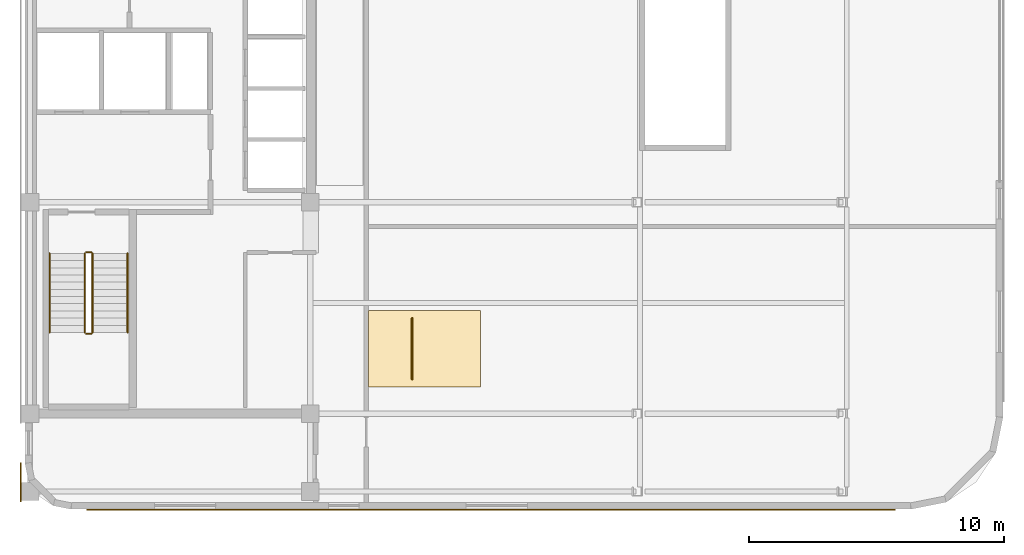
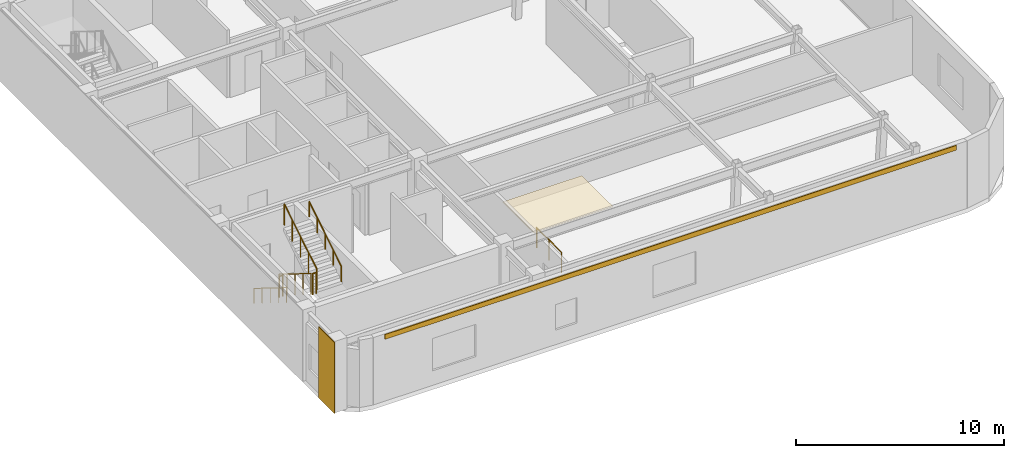
# One storey, part 6 of 8: 7 railings, 3 coverings.
"""IFC4 building model written with IfcOpenShell, lengths in metres."""

from ifc_helpers import new_model, si_unit, direction, frame, origin, origin_2d, place, context, subcontext, project, spatial, polyline, rectangle, circle, outline, extrude, material, layer, layer_set, type_object, element, save


model = new_model("IFC4")

# Units and contexts
model_context = context("Model", 3, precision=1e-05, world=origin(), true_north=direction((0.0, 1.0)))
body_context = subcontext(model_context, "Body", "Model", "MODEL_VIEW")
ifc_project = project(units=[si_unit("LENGTHUNIT", "METRE"), si_unit("AREAUNIT", "SQUARE_METRE"), si_unit("VOLUMEUNIT", "CUBIC_METRE"), si_unit("PLANEANGLEUNIT", "RADIAN"), si_unit("MASSUNIT", "GRAM", prefix="KILO")], contexts=[model_context])

# Site, building, storey
site_placement = place(None, origin())
site = spatial("IfcSite", under=ifc_project, at=site_placement, CompositionType="ELEMENT")
building_placement = place(site_placement, origin())
building = spatial("IfcBuilding", under=site, at=building_placement, Name="Ochreholt Gables", CompositionType="ELEMENT")
storey_placement = place(building_placement, frame((0.0, 0.0, 231.0)))
storey = spatial("IfcBuildingStorey", under=building, at=storey_placement, Name="L60", CompositionType="ELEMENT", Elevation=231.0)

# Coverings
ifc_material_1 = material(Name="Mineral Fibre Acoustic Ceiling Tile", Category="gypsum")
ifc_layer_1 = layer(ifc_material_1, 0.034912109375, Name="Mineral Fibre Acoustic Ceiling Tile")
ifc_layer_set_1 = layer_set([ifc_layer_1], Name="Mineral Fibre Acoustic Ceiling Tile")
covering_type_1 = type_object("IfcCoveringType", Name="COV-CEIL-AC", PredefinedType="CEILING", material=ifc_layer_set_1)
covering_1_placement = place(storey_placement, frame((0.0, 0.0, 3.080078125)))
element("IfcCovering", 1, at=covering_1_placement, inside=storey, type_object=covering_type_1, Name="L60 Suspended Acoustic Ceiling", PredefinedType="CEILING", context=body_context, shape_type="SweptSolid", body=[
    extrude(outline(polyline([(37.489990234375, 10.300048828125), (41.889892578125, 10.300048828125), (41.889892578125, 13.300048828125), (37.489990234375, 13.300048828125), (37.489990234375, 10.300048828125)])), origin(), (0.0, 0.0, 1.0), 0.034912109375),
])
ifc_material_2 = material(Name="Glazed Ochre Terracotta Rainscreen Cladding", Category="masonry")
ifc_layer_2 = layer(ifc_material_2, 0.044921875, Name="Glazed Ochre Terracotta Rainscreen Cladding")
ifc_layer_set_2 = layer_set([ifc_layer_2], Name="Glazed Ochre Terracotta Rainscreen Cladding")
covering_type_2 = type_object("IfcCoveringType", Name="COV-CLAD-TC", PredefinedType="CLADDING", material=ifc_layer_set_2)
covering_2_placement = place(storey_placement, frame((42.300048828125, 5.47998046875, 3.66015625), z_axis=(0.0, 0.0, 1.0), x_axis=(1.0, 0.0, 0.0)))
element("IfcCovering", 2, at=covering_2_placement, inside=storey, type_object=covering_type_2, Name="L60 Terracotta Spandrel Cladding South", PredefinedType="CLADDING", context=body_context, shape_type="SweptSolid", body=[
    extrude(rectangle(XDim=31.760009765625, YDim=0.044921875, at=origin_2d()), origin(), (0.0, 0.0, 1.0), 0.280029296875),
])
covering_3_placement = place(storey_placement, frame((23.827880859375, 6.56005859375, 0.01025390625), z_axis=(0.0, 0.0, 1.0), x_axis=(0.0, 1.0, 0.0)))
element("IfcCovering", 3, at=covering_3_placement, inside=storey, type_object=covering_type_2, Name="L60 South-West Pier Terracotta Cladding", PredefinedType="CLADDING", context=body_context, shape_type="SweptSolid", body=[
    extrude(rectangle(XDim=1.52001953125, YDim=0.044921875, at=origin_2d()), origin(), (0.0, 0.0, 1.0), 4.179931640625),
])

# Railings
ifc_material_3 = material(Name="Laminated Glass and Bronze Interior Balustrade", Category="glass")
railing_type_1 = type_object("IfcRailingType", Name="RL-INT-BAL", PredefinedType="BALUSTRADE", material=ifc_material_3)
railing_1_placement = place(storey_placement, frame((39.199951171875, 10.60009765625, 0.0)))
element("IfcRailing", 4, at=railing_1_placement, inside=storey, type_object=railing_type_1, Name="L60 Gallery Balustrade", PredefinedType="BALUSTRADE", context=body_context, shape_type="SweptSolid", body=[
    extrude(circle(Radius=0.02392578125, at=origin_2d()), frame((0.0, 0.0, 1.17578125), z_axis=(0.0, 1.0, 0.0), x_axis=(-1.0, 0.0, 0.0)), (0.0, 0.0, 1.0), 2.39990234375),
    extrude(circle(Radius=0.02099609375, at=origin_2d()), origin(), (0.0, 0.0, 1.0), 1.15185546875),
    extrude(circle(Radius=0.02099609375, at=origin_2d()), frame((0.0, 1.199951171875, 0.0)), (0.0, 0.0, 1.0), 1.15185546875),
    extrude(circle(Radius=0.02099609375, at=origin_2d()), frame((0.0, 2.39990234375, 0.0)), (0.0, 0.0, 1.0), 1.15185546875),
])
ifc_material_4 = material(Name="Painted Steel Stair Guardrail", Category="steel")
railing_type_2 = type_object("IfcRailingType", Name="RL-ST-GUARD", PredefinedType="GUARDRAIL", material=ifc_material_4)
railing_2_placement = place(storey_placement, frame((26.35009765625, 15.5400390625, 0.175048828125)))
element("IfcRailing", 5, at=railing_2_placement, inside=storey, type_object=railing_type_2, Name="L60 ST-1 stair guard 1", PredefinedType="GUARDRAIL", context=body_context, shape_type="SweptSolid", body=[
    extrude(circle(Radius=0.02392578125, at=origin_2d()), frame((0.0, 0.0, 1.22607421875), z_axis=(0.0, -0.849684591916, 0.527291280281), x_axis=(1.0, 0.0, 0.0)), (0.0, 0.0, 1.0), 3.65087890625),
    extrude(circle(Radius=0.02099609375, at=origin_2d()), origin(), (0.0, 0.0, 1.0), 1.201904296875),
    extrude(circle(Radius=0.02099609375, at=origin_2d()), frame((0.0, -0.775390625, 0.481201171875)), (0.0, 0.0, 1.0), 1.201904296875),
    extrude(circle(Radius=0.02099609375, at=origin_2d()), frame((0.0, -1.551025390625, 0.96240234375)), (0.0, 0.0, 1.0), 1.201904296875),
    extrude(circle(Radius=0.02099609375, at=origin_2d()), frame((0.0, -2.32666015625, 1.44384765625)), (0.0, 0.0, 1.0), 1.201904296875),
    extrude(circle(Radius=0.02099609375, at=origin_2d()), frame((0.0, -3.10205078125, 1.925048828125)), (0.0, 0.0, 1.0), 1.201904296875),
])
railing_3_placement = place(storey_placement, frame((26.39990234375, 12.387939453125, 2.10009765625)))
element("IfcRailing", 6, at=railing_3_placement, inside=storey, type_object=railing_type_2, Name="L60 ST-1 stair guard 2", PredefinedType="GUARDRAIL", context=body_context, shape_type="SweptSolid", body=[
    extrude(circle(Radius=0.02392578125, at=origin_2d()), frame((0.0, 0.0, 1.22607421875), z_axis=(1.0, 0.0, 0.0), x_axis=(0.0, 1.0, 0.0)), (0.0, 0.0, 1.0), 0.2001953125),
    extrude(circle(Radius=0.02099609375, at=origin_2d()), origin(), (0.0, 0.0, 1.0), 1.201904296875),
    extrude(circle(Radius=0.02099609375, at=origin_2d()), frame((0.2001953125, 0.0, 0.0)), (0.0, 0.0, 1.0), 1.201904296875),
])
railing_4_placement = place(storey_placement, frame((26.64990234375, 12.43798828125, 2.27490234375)))
element("IfcRailing", 7, at=railing_4_placement, inside=storey, type_object=railing_type_2, Name="L60 ST-1 stair guard 3", PredefinedType="GUARDRAIL", context=body_context, shape_type="SweptSolid", body=[
    extrude(circle(Radius=0.02392578125, at=origin_2d()), frame((0.0, 0.0, 1.22607421875), z_axis=(0.0, 0.849684591916, 0.527291280281), x_axis=(-1.0, 0.0, 0.0)), (0.0, 0.0, 1.0), 3.65087890625),
    extrude(circle(Radius=0.02099609375, at=origin_2d()), origin(), (0.0, 0.0, 1.0), 1.201904296875),
    extrude(circle(Radius=0.02099609375, at=origin_2d()), frame((0.0, 0.775390625, 0.481201171875)), (0.0, 0.0, 1.0), 1.201904296875),
    extrude(circle(Radius=0.02099609375, at=origin_2d()), frame((0.0, 1.551025390625, 0.96240234375)), (0.0, 0.0, 1.0), 1.201904296875),
    extrude(circle(Radius=0.02099609375, at=origin_2d()), frame((0.0, 2.32666015625, 1.44384765625)), (0.0, 0.0, 1.0), 1.201904296875),
    extrude(circle(Radius=0.02099609375, at=origin_2d()), frame((0.0, 3.10205078125, 1.925048828125)), (0.0, 0.0, 1.0), 1.201904296875),
])
railing_5_placement = place(storey_placement, frame((26.39990234375, 15.590087890625, 0.0)))
element("IfcRailing", 8, at=railing_5_placement, inside=storey, type_object=railing_type_2, Name="L60 ST-1 stair guard 4", PredefinedType="GUARDRAIL", context=body_context, shape_type="SweptSolid", body=[
    extrude(circle(Radius=0.02392578125, at=origin_2d()), frame((0.0, 0.0, 1.22607421875), z_axis=(1.0, 0.0, 0.0), x_axis=(0.0, 1.0, 0.0)), (0.0, 0.0, 1.0), 0.2001953125),
    extrude(circle(Radius=0.02099609375, at=origin_2d()), origin(), (0.0, 0.0, 1.0), 1.201904296875),
    extrude(circle(Radius=0.02099609375, at=origin_2d()), frame((0.2001953125, 0.0, 0.0)), (0.0, 0.0, 1.0), 1.201904296875),
])
ifc_material_5 = material(Name="Brushed Stainless Steel Wall Handrail", Category="steel")
railing_type_3 = type_object("IfcRailingType", Name="RL-ST-HAND", PredefinedType="HANDRAIL", material=ifc_material_5)
railing_6_placement = place(storey_placement, frame((24.969970703125, 15.5400390625, 0.175048828125)))
element("IfcRailing", 9, at=railing_6_placement, inside=storey, type_object=railing_type_3, Name="L60 ST-1 stair handrail 1", PredefinedType="HANDRAIL", context=body_context, shape_type="SweptSolid", body=[
    extrude(circle(Radius=0.02392578125, at=origin_2d()), frame((0.0, 0.0, 0.8759765625), z_axis=(0.0, -0.849684591916, 0.527291280281), x_axis=(1.0, 0.0, 0.0)), (0.0, 0.0, 1.0), 3.65087890625),
    extrude(circle(Radius=0.02099609375, at=origin_2d()), origin(), (0.0, 0.0, 1.0), 0.851806640625),
    extrude(circle(Radius=0.02099609375, at=origin_2d()), frame((0.0, -0.775390625, 0.481201171875)), (0.0, 0.0, 1.0), 0.851806640625),
    extrude(circle(Radius=0.02099609375, at=origin_2d()), frame((0.0, -1.551025390625, 0.96240234375)), (0.0, 0.0, 1.0), 0.851806640625),
    extrude(circle(Radius=0.02099609375, at=origin_2d()), frame((0.0, -2.32666015625, 1.44384765625)), (0.0, 0.0, 1.0), 0.851806640625),
    extrude(circle(Radius=0.02099609375, at=origin_2d()), frame((0.0, -3.10205078125, 1.925048828125)), (0.0, 0.0, 1.0), 0.851806640625),
])
railing_7_placement = place(storey_placement, frame((28.030029296875, 12.43798828125, 2.27490234375)))
element("IfcRailing", 10, at=railing_7_placement, inside=storey, type_object=railing_type_3, Name="L60 ST-1 stair handrail 2", PredefinedType="HANDRAIL", context=body_context, shape_type="SweptSolid", body=[
    extrude(circle(Radius=0.02392578125, at=origin_2d()), frame((0.0, 0.0, 0.8759765625), z_axis=(0.0, 0.849684591916, 0.527291280281), x_axis=(-1.0, 0.0, 0.0)), (0.0, 0.0, 1.0), 3.65087890625),
    extrude(circle(Radius=0.02099609375, at=origin_2d()), origin(), (0.0, 0.0, 1.0), 0.851806640625),
    extrude(circle(Radius=0.02099609375, at=origin_2d()), frame((0.0, 0.775390625, 0.481201171875)), (0.0, 0.0, 1.0), 0.851806640625),
    extrude(circle(Radius=0.02099609375, at=origin_2d()), frame((0.0, 1.551025390625, 0.96240234375)), (0.0, 0.0, 1.0), 0.851806640625),
    extrude(circle(Radius=0.02099609375, at=origin_2d()), frame((0.0, 2.32666015625, 1.44384765625)), (0.0, 0.0, 1.0), 0.851806640625),
    extrude(circle(Radius=0.02099609375, at=origin_2d()), frame((0.0, 3.10205078125, 1.925048828125)), (0.0, 0.0, 1.0), 0.851806640625),
])

save(model, "model.ifc")
